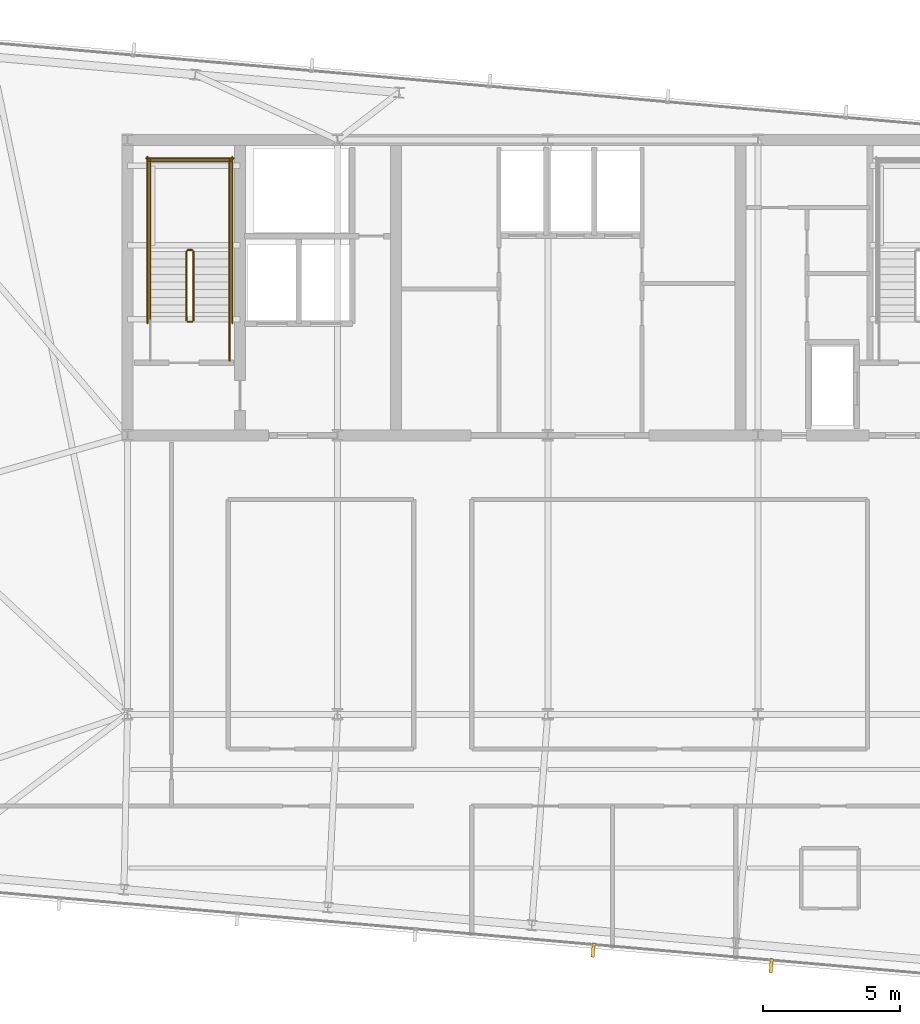
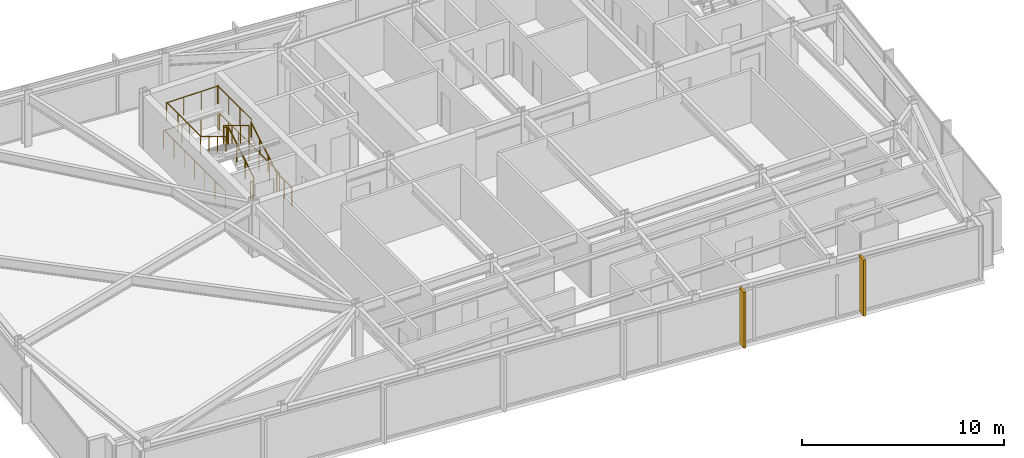
# One storey, part 30 of 32: 13 railings, 2 shading devices.
"""IFC4 building model written with IfcOpenShell, lengths in metres."""

from ifc_helpers import new_model, si_unit, direction, frame, origin, origin_2d, place, context, subcontext, project, spatial, rectangle, circle, extrude, material, layer, layer_set, type_object, element, save


model = new_model("IFC4")

# Units and contexts
model_context = context("Model", 3, precision=1e-05, world=origin(), true_north=direction((0.0, 1.0)))
body_context = subcontext(model_context, "Body", "Model", "MODEL_VIEW")
ifc_project = project(units=[si_unit("LENGTHUNIT", "METRE"), si_unit("AREAUNIT", "SQUARE_METRE"), si_unit("VOLUMEUNIT", "CUBIC_METRE"), si_unit("PLANEANGLEUNIT", "RADIAN"), si_unit("MASSUNIT", "GRAM", prefix="KILO")], contexts=[model_context])

# Site, building, storey
site_placement = place(None, origin())
site = spatial("IfcSite", under=ifc_project, at=site_placement, CompositionType="ELEMENT")
building_placement = place(site_placement, origin())
building = spatial("IfcBuilding", under=site, at=building_placement, Name="Yelkora Congress Tower", CompositionType="ELEMENT")
storey_placement = place(building_placement, frame((0.0, 0.0, 279.5)))
storey = spatial("IfcBuildingStorey", under=building, at=storey_placement, Name="L78", CompositionType="ELEMENT", Elevation=279.5)

# Railings
ifc_material_1 = material(Name="Painted galvanised steel stair well guard with vertical infill", Category="steel")
ifc_layer_1 = layer(ifc_material_1, 0.06005859375)
ifc_layer_set_1 = layer_set([ifc_layer_1], Name="Painted galvanised steel stair well guard with vertical infill")
railing_type_1 = type_object("IfcRailingType", Name="RAIL-STAIR-GUARD-1120", PredefinedType="GUARDRAIL", material=ifc_layer_set_1)
railing_1_placement = place(storey_placement, frame((25.449951171875, 39.60009765625, 0.169921875)))
element("IfcRailing", 1, at=railing_1_placement, inside=storey, type_object=railing_type_1, Name="ST-01 L78 Stair Well Guardrail 1", PredefinedType="GUARDRAIL", context=body_context, shape_type="SweptSolid", body=[
    extrude(circle(Radius=0.02392578125, at=origin_2d()), frame((0.0, 0.0, 1.09619140625), z_axis=(0.0, 0.85478489116, 0.518982456201), x_axis=(-1.0, 0.0, 0.0)), (0.0, 0.0, 1.0), 2.9482421875),
    extrude(circle(Radius=0.02099609375, at=origin_2d()), origin(), (0.0, 0.0, 1.0), 1.072021484375),
    extrude(circle(Radius=0.02099609375, at=origin_2d()), frame((0.0, 0.840087890625, 0.510009765625)), (0.0, 0.0, 1.0), 1.072021484375),
    extrude(circle(Radius=0.02099609375, at=origin_2d()), frame((0.0, 1.679931640625, 1.02001953125)), (0.0, 0.0, 1.0), 1.072021484375),
    extrude(circle(Radius=0.02099609375, at=origin_2d()), frame((0.0, 2.52001953125, 1.530029296875)), (0.0, 0.0, 1.0), 1.072021484375),
])
railing_2_placement = place(storey_placement, frame((25.39990234375, 42.169921875, 1.699951171875)))
element("IfcRailing", 2, at=railing_2_placement, inside=storey, type_object=railing_type_1, Name="ST-01 L78 Stair Well Guardrail 2", PredefinedType="GUARDRAIL", context=body_context, shape_type="SweptSolid", body=[
    extrude(circle(Radius=0.02392578125, at=origin_2d()), frame((0.0, 0.0, 1.09619140625), z_axis=(-1.0, 0.0, 0.0), x_axis=(0.0, -1.0, 0.0)), (0.0, 0.0, 1.0), 0.159912109375),
    extrude(circle(Radius=0.02099609375, at=origin_2d()), origin(), (0.0, 0.0, 1.0), 1.072021484375),
    extrude(circle(Radius=0.02099609375, at=origin_2d()), frame((-0.159912109375, 0.0, 0.0)), (0.0, 0.0, 1.0), 1.072021484375),
])
for number, where, name in (
    (3, (26.77001953125, 42.1201171875, 1.699951171875), "ST-01 L78 Stair Well Guardrail 3"),
    (4, (23.8701171875, 42.1201171875, 1.699951171875), "ST-01 L78 Stair Well Guardrail 4"),
):
    element("IfcRailing", number, at=place(storey_placement, frame(where)), inside=storey, type_object=railing_type_1, Name=name, PredefinedType="GUARDRAIL", context=body_context, shape_type="SweptSolid", body=[
        extrude(circle(Radius=0.02392578125, at=origin_2d()), frame((0.0, 0.0, 1.09619140625), z_axis=(0.0, 1.0, 0.0), x_axis=(-1.0, 0.0, 0.0)), (0.0, 0.0, 1.0), 3.349853515625),
        extrude(circle(Radius=0.02099609375, at=origin_2d()), origin(), (0.0, 0.0, 1.0), 1.072021484375),
        extrude(circle(Radius=0.02099609375, at=origin_2d()), frame((0.0, 1.11669921875, 0.0)), (0.0, 0.0, 1.0), 1.072021484375),
        extrude(circle(Radius=0.02099609375, at=origin_2d()), frame((0.0, 2.233154296875, 0.0)), (0.0, 0.0, 1.0), 1.072021484375),
        extrude(circle(Radius=0.02099609375, at=origin_2d()), frame((0.0, 3.349853515625, 0.0)), (0.0, 0.0, 1.0), 1.072021484375),
    ])
railing_3_placement = place(storey_placement, frame((26.820068359375, 45.419921875, 1.699951171875)))
element("IfcRailing", 5, at=railing_3_placement, inside=storey, type_object=railing_type_1, Name="ST-01 L78 Stair Well Guardrail 5", PredefinedType="GUARDRAIL", context=body_context, shape_type="SweptSolid", body=[
    extrude(circle(Radius=0.02392578125, at=origin_2d()), frame((0.0, 0.0, 1.09619140625), z_axis=(-1.0, 0.0, 0.0), x_axis=(0.0, -1.0, 0.0)), (0.0, 0.0, 1.0), 3.0),
    extrude(circle(Radius=0.02099609375, at=origin_2d()), origin(), (0.0, 0.0, 1.0), 1.072021484375),
    extrude(circle(Radius=0.02099609375, at=origin_2d()), frame((-1.0, 0.0, 0.0)), (0.0, 0.0, 1.0), 1.072021484375),
    extrude(circle(Radius=0.02099609375, at=origin_2d()), frame((-2.0, 0.0, 0.0)), (0.0, 0.0, 1.0), 1.072021484375),
    extrude(circle(Radius=0.02099609375, at=origin_2d()), frame((-3.0, 0.0, 0.0)), (0.0, 0.0, 1.0), 1.072021484375),
])
railing_4_placement = place(storey_placement, frame((25.18994140625, 42.1201171875, 1.8701171875)))
element("IfcRailing", 6, at=railing_4_placement, inside=storey, type_object=railing_type_1, Name="ST-01 L78 Stair Well Guardrail 6", PredefinedType="GUARDRAIL", context=body_context, shape_type="SweptSolid", body=[
    extrude(circle(Radius=0.02392578125, at=origin_2d()), frame((0.0, 0.0, 1.09619140625), z_axis=(0.0, -0.854821627497, 0.518921945155), x_axis=(1.0, 0.0, 0.0)), (0.0, 0.0, 1.0), 2.947998046875),
    extrude(circle(Radius=0.02099609375, at=origin_2d()), origin(), (0.0, 0.0, 1.0), 1.072021484375),
    extrude(circle(Radius=0.02099609375, at=origin_2d()), frame((0.0, -0.840087890625, 0.510009765625)), (0.0, 0.0, 1.0), 1.072021484375),
    extrude(circle(Radius=0.02099609375, at=origin_2d()), frame((0.0, -1.679931640625, 1.019775390625)), (0.0, 0.0, 1.0), 1.072021484375),
    extrude(circle(Radius=0.02099609375, at=origin_2d()), frame((0.0, -2.52001953125, 1.52978515625)), (0.0, 0.0, 1.0), 1.072021484375),
])
railing_5_placement = place(storey_placement, frame((25.39990234375, 39.550048828125, 0.0)))
element("IfcRailing", 7, at=railing_5_placement, inside=storey, type_object=railing_type_1, Name="ST-01 L78 Stair Well Guardrail 7", PredefinedType="GUARDRAIL", context=body_context, shape_type="SweptSolid", body=[
    extrude(circle(Radius=0.02392578125, at=origin_2d()), frame((0.0, 0.0, 1.09619140625), z_axis=(-1.0, 0.0, 0.0), x_axis=(0.0, -1.0, 0.0)), (0.0, 0.0, 1.0), 0.159912109375),
    extrude(circle(Radius=0.02099609375, at=origin_2d()), origin(), (0.0, 0.0, 1.0), 1.072021484375),
    extrude(circle(Radius=0.02099609375, at=origin_2d()), frame((-0.159912109375, 0.0, 0.0)), (0.0, 0.0, 1.0), 1.072021484375),
])
railing_6_placement = place(storey_placement, frame((26.77001953125, 38.1201171875, 0.0)))
element("IfcRailing", 8, at=railing_6_placement, inside=storey, type_object=railing_type_1, Name="ST-01 L78 Stair Well Guardrail 8", PredefinedType="GUARDRAIL", context=body_context, shape_type="SweptSolid", body=[
    extrude(circle(Radius=0.02392578125, at=origin_2d()), frame((0.0, 0.0, 1.09619140625), z_axis=(0.0, 1.0, 0.0), x_axis=(-1.0, 0.0, 0.0)), (0.0, 0.0, 1.0), 1.47998046875),
    extrude(circle(Radius=0.02099609375, at=origin_2d()), origin(), (0.0, 0.0, 1.0), 1.072021484375),
    extrude(circle(Radius=0.02099609375, at=origin_2d()), frame((0.0, 0.739990234375, 0.0)), (0.0, 0.0, 1.0), 1.072021484375),
    extrude(circle(Radius=0.02099609375, at=origin_2d()), frame((0.0, 1.47998046875, 0.0)), (0.0, 0.0, 1.0), 1.072021484375),
])
for number, where, name in (
    (9, (26.8701171875, 39.5, 0.0), "ST-01 L78 Stair Well Guardrail 10"),
    (10, (23.77001953125, 39.5, 0.0), "ST-01 L78 Stair Well Guardrail 11"),
):
    element("IfcRailing", number, at=place(storey_placement, frame(where)), inside=storey, type_object=railing_type_1, Name=name, PredefinedType="GUARDRAIL", context=body_context, shape_type="SweptSolid", body=[
        extrude(circle(Radius=0.02392578125, at=origin_2d()), frame((0.0, 0.0, 1.09619140625), z_axis=(0.0, 1.0, 0.0), x_axis=(-1.0, 0.0, 0.0)), (0.0, 0.0, 1.0), 6.070068359375),
        extrude(circle(Radius=0.02099609375, at=origin_2d()), origin(), (0.0, 0.0, 1.0), 1.072021484375),
        extrude(circle(Radius=0.02099609375, at=origin_2d()), frame((0.0, 1.01171875, 0.0)), (0.0, 0.0, 1.0), 1.072021484375),
        extrude(circle(Radius=0.02099609375, at=origin_2d()), frame((0.0, 2.0234375, 0.0)), (0.0, 0.0, 1.0), 1.072021484375),
        extrude(circle(Radius=0.02099609375, at=origin_2d()), frame((0.0, 3.03515625, 0.0)), (0.0, 0.0, 1.0), 1.072021484375),
        extrude(circle(Radius=0.02099609375, at=origin_2d()), frame((0.0, 4.046630859375, 0.0)), (0.0, 0.0, 1.0), 1.072021484375),
        extrude(circle(Radius=0.02099609375, at=origin_2d()), frame((0.0, 5.058349609375, 0.0)), (0.0, 0.0, 1.0), 1.072021484375),
        extrude(circle(Radius=0.02099609375, at=origin_2d()), frame((0.0, 6.070068359375, 0.0)), (0.0, 0.0, 1.0), 1.072021484375),
    ])
railing_7_placement = place(storey_placement, frame((26.919921875, 45.52001953125, 0.0)))
element("IfcRailing", 11, at=railing_7_placement, inside=storey, type_object=railing_type_1, Name="ST-01 L78 Stair Well Guardrail 12", PredefinedType="GUARDRAIL", context=body_context, shape_type="SweptSolid", body=[
    extrude(circle(Radius=0.02392578125, at=origin_2d()), frame((0.0, 0.0, 1.09619140625), z_axis=(-1.0, 0.0, 0.0), x_axis=(0.0, -1.0, 0.0)), (0.0, 0.0, 1.0), 3.199951171875),
    extrude(circle(Radius=0.02099609375, at=origin_2d()), origin(), (0.0, 0.0, 1.0), 1.072021484375),
    extrude(circle(Radius=0.02099609375, at=origin_2d()), frame((-1.066650390625, 0.0, 0.0)), (0.0, 0.0, 1.0), 1.072021484375),
    extrude(circle(Radius=0.02099609375, at=origin_2d()), frame((-2.13330078125, 0.0, 0.0)), (0.0, 0.0, 1.0), 1.072021484375),
    extrude(circle(Radius=0.02099609375, at=origin_2d()), frame((-3.199951171875, 0.0, 0.0)), (0.0, 0.0, 1.0), 1.072021484375),
])
ifc_material_2 = material(Name="Brushed stainless steel tubular handrail", Category="steel")
ifc_layer_2 = layer(ifc_material_2, 0.050048828125)
ifc_layer_set_2 = layer_set([ifc_layer_2], Name="Brushed stainless steel tubular handrail")
railing_type_2 = type_object("IfcRailingType", Name="RAIL-STAIR-HAND-920", PredefinedType="HANDRAIL", material=ifc_layer_set_2)
railing_8_placement = place(storey_placement, frame((26.77001953125, 39.60009765625, 0.169921875)))
element("IfcRailing", 12, at=railing_8_placement, inside=storey, type_object=railing_type_2, Name="ST-01 L78 Pitch Handrail 1", PredefinedType="HANDRAIL", context=body_context, shape_type="SweptSolid", body=[
    extrude(circle(Radius=0.02392578125, at=origin_2d()), frame((0.0, 0.0, 0.89599609375), z_axis=(0.0, 0.85478489116, 0.518982456201), x_axis=(-1.0, 0.0, 0.0)), (0.0, 0.0, 1.0), 2.9482421875),
    extrude(circle(Radius=0.02099609375, at=origin_2d()), origin(), (0.0, 0.0, 1.0), 0.871826171875),
    extrude(circle(Radius=0.02099609375, at=origin_2d()), frame((0.0, 0.840087890625, 0.510009765625)), (0.0, 0.0, 1.0), 0.871826171875),
    extrude(circle(Radius=0.02099609375, at=origin_2d()), frame((0.0, 1.679931640625, 1.02001953125)), (0.0, 0.0, 1.0), 0.871826171875),
    extrude(circle(Radius=0.02099609375, at=origin_2d()), frame((0.0, 2.52001953125, 1.530029296875)), (0.0, 0.0, 1.0), 0.871826171875),
])
railing_9_placement = place(storey_placement, frame((23.8701171875, 42.1201171875, 1.8701171875)))
element("IfcRailing", 13, at=railing_9_placement, inside=storey, type_object=railing_type_2, Name="ST-01 L78 Pitch Handrail 2", PredefinedType="HANDRAIL", context=body_context, shape_type="SweptSolid", body=[
    extrude(circle(Radius=0.02392578125, at=origin_2d()), frame((0.0, 0.0, 0.89599609375), z_axis=(0.0, -0.854821627497, 0.518921945155), x_axis=(1.0, 0.0, 0.0)), (0.0, 0.0, 1.0), 2.947998046875),
    extrude(circle(Radius=0.02099609375, at=origin_2d()), origin(), (0.0, 0.0, 1.0), 0.871826171875),
    extrude(circle(Radius=0.02099609375, at=origin_2d()), frame((0.0, -0.840087890625, 0.510009765625)), (0.0, 0.0, 1.0), 0.871826171875),
    extrude(circle(Radius=0.02099609375, at=origin_2d()), frame((0.0, -1.679931640625, 1.019775390625)), (0.0, 0.0, 1.0), 0.871826171875),
    extrude(circle(Radius=0.02099609375, at=origin_2d()), frame((0.0, -2.52001953125, 1.52978515625)), (0.0, 0.0, 1.0), 0.871826171875),
])

# Shading devices
ifc_material_3 = material(Name="Champagne anodised aluminium", Category="aluminium")
ifc_layer_3 = layer(ifc_material_3, 3.300048828125)
ifc_layer_set_3 = layer_set([ifc_layer_3], Name="Champagne anodised aluminium")
shading_device_type = type_object("IfcShadingDeviceType", Name="SHD-FIN-ALU-520", PredefinedType="USERDEFINED", material=ifc_layer_set_3)
for number, where, z_axis, x_axis, name in (
    (14, (46.567138671875, 16.0107421875, -0.030029296875), (0.0, 0.0, 1.0), (-0.996194698092, 0.087155742748, 0.0), "L78 Vertical Anodised Solar Fin 20-1"),
    (15, (40.060546875, 16.579833984375, -0.030029296875), (0.0, 0.0, 1.0), (-0.996194698092, 0.087155742748, 0.0), "L78 Vertical Anodised Solar Fin 20-2"),
):
    element("IfcShadingDevice", number, at=place(storey_placement, frame(where, z_axis=z_axis, x_axis=x_axis)), inside=storey, type_object=shading_device_type, Name=name, ObjectType="FIN", PredefinedType="USERDEFINED", context=body_context, shape_type="SweptSolid", body=[
        extrude(rectangle(XDim=0.1201171875, YDim=0.52001953125, at=origin_2d()), origin(), (0.0, 0.0, 1.0), 3.3798828125),
    ])

save(model, "model.ifc")
